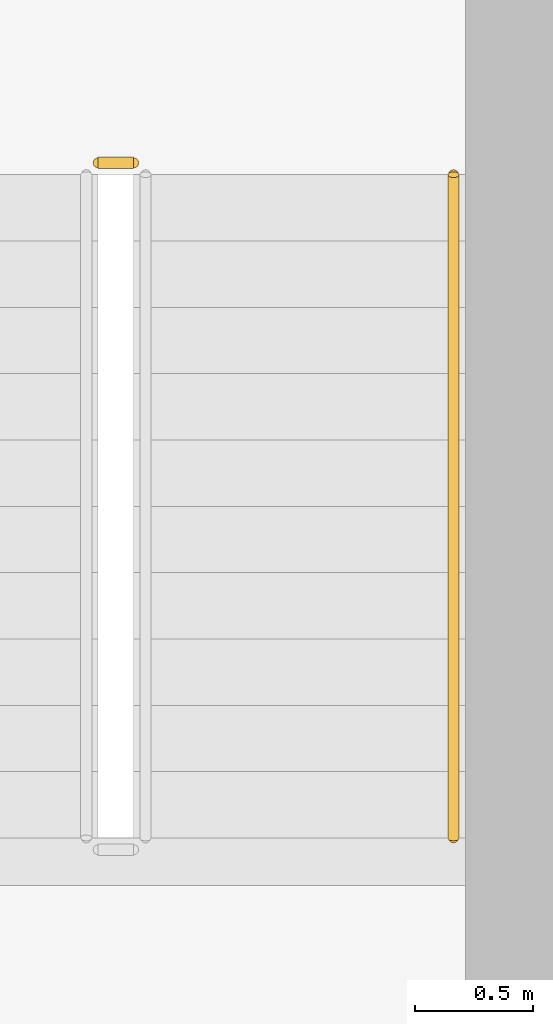
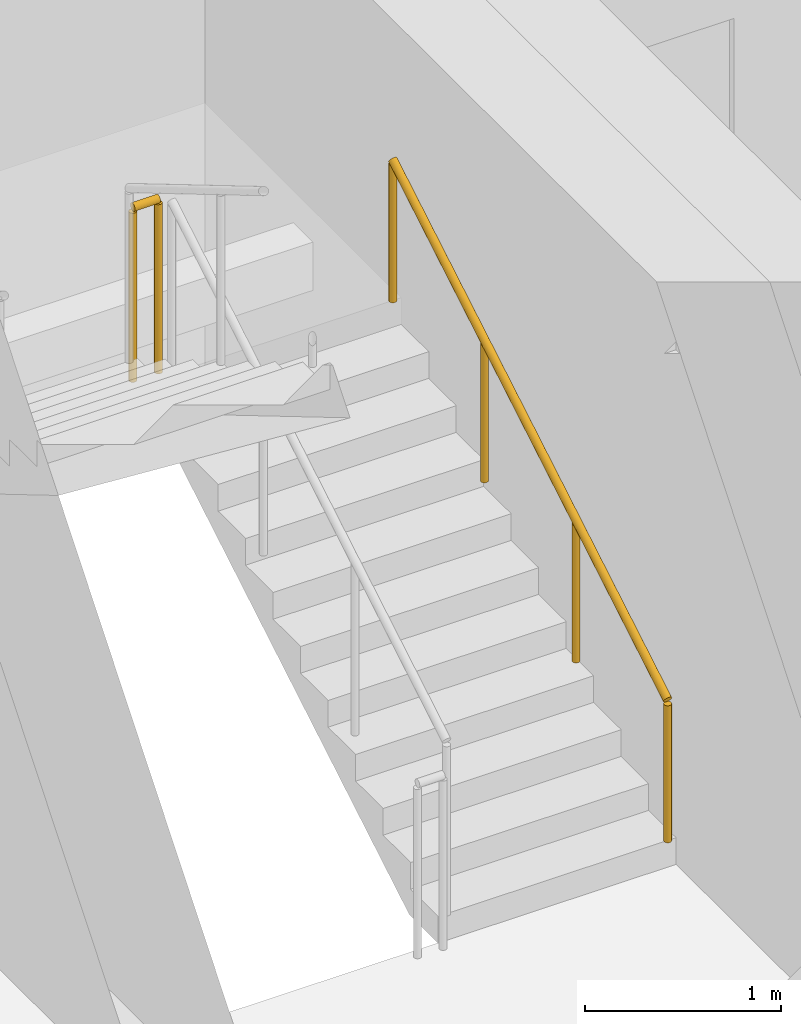
# One storey, part 13 of 15: 2 railings.
"""IFC4 building model written with IfcOpenShell, lengths in metres."""

from ifc_helpers import new_model, si_unit, direction, frame, origin, origin_2d, place, context, subcontext, project, spatial, circle, extrude, material, type_object, element, save


model = new_model("IFC4")

# Units and contexts
model_context = context("Model", 3, precision=1e-05, world=origin(), true_north=direction((0.0, 1.0)))
body_context = subcontext(model_context, "Body", "Model", "MODEL_VIEW")
ifc_project = project(units=[si_unit("LENGTHUNIT", "METRE"), si_unit("AREAUNIT", "SQUARE_METRE"), si_unit("VOLUMEUNIT", "CUBIC_METRE"), si_unit("PLANEANGLEUNIT", "RADIAN"), si_unit("MASSUNIT", "GRAM", prefix="KILO")], contexts=[model_context])

# Site, building, storey
site_placement = place(None, origin())
site = spatial("IfcSite", under=ifc_project, at=site_placement, CompositionType="ELEMENT")
building_placement = place(site_placement, origin())
building = spatial("IfcBuilding", under=site, at=building_placement, Name="Isthmus Gate Tower", CompositionType="ELEMENT")
storey_placement = place(building_placement, frame((0.0, 0.0, 275.550048828125)))
storey = spatial("IfcBuildingStorey", under=building, at=storey_placement, Name="L70", CompositionType="ELEMENT", Elevation=275.550048828125)

# Railings
ifc_material_1 = material(Name="Stainless steel balustrade", Category="steel")
railing_type_1 = type_object("IfcRailingType", Name="STAIR GUARD 1100", PredefinedType="GUARDRAIL", material=ifc_material_1)
railing_1_placement = place(storey_placement, frame((12.60009765625, 5.25, 1.824951171875)))
element("IfcRailing", 1, at=railing_1_placement, inside=storey, type_object=railing_type_1, Name="L70 ST8 stair guard 2", PredefinedType="GUARDRAIL", context=body_context, shape_type="SweptSolid", body=[
    extrude(circle(Radius=0.02392578125, at=origin_2d()), frame((0.0, 0.0, 1.076171875), z_axis=(-1.0, 0.0, 0.0), x_axis=(0.0, -1.0, 0.0)), (0.0, 0.0, 1.0), 0.150146484375),
    extrude(circle(Radius=0.02099609375, at=origin_2d()), origin(), (0.0, 0.0, 1.0), 1.052001953125),
    extrude(circle(Radius=0.02099609375, at=origin_2d()), frame((-0.150146484375, 0.0, 0.0)), (0.0, 0.0, 1.0), 1.052001953125),
])
ifc_material_2 = material(Name="Stainless steel handrail", Category="steel")
railing_type_2 = type_object("IfcRailingType", Name="STAIR HANDRAIL 900", PredefinedType="HANDRAIL", material=ifc_material_2)
railing_2_placement = place(storey_placement, frame((13.949951171875, 2.39990234375, 0.165771484375)))
element("IfcRailing", 2, at=railing_2_placement, inside=storey, type_object=railing_type_2, Name="L70 ST8 stair handrail 1", PredefinedType="HANDRAIL", context=body_context, shape_type="SweptSolid", body=[
    extrude(circle(Radius=0.02392578125, at=origin_2d()), frame((0.0, 0.0, 0.8759765625), z_axis=(0.0, 0.860306154799, 0.50977771628), x_axis=(-1.0, 0.0, 0.0)), (0.0, 0.0, 1.0), 3.254638671875),
    extrude(circle(Radius=0.02099609375, at=origin_2d()), origin(), (0.0, 0.0, 1.0), 0.851806640625),
    extrude(circle(Radius=0.02099609375, at=origin_2d()), frame((0.0, 0.933349609375, 0.552978515625)), (0.0, 0.0, 1.0), 0.851806640625),
    extrude(circle(Radius=0.02099609375, at=origin_2d()), frame((0.0, 1.86669921875, 1.106201171875)), (0.0, 0.0, 1.0), 0.851806640625),
    extrude(circle(Radius=0.02099609375, at=origin_2d()), frame((0.0, 2.800048828125, 1.6591796875)), (0.0, 0.0, 1.0), 0.851806640625),
])

save(model, "model.ifc")
